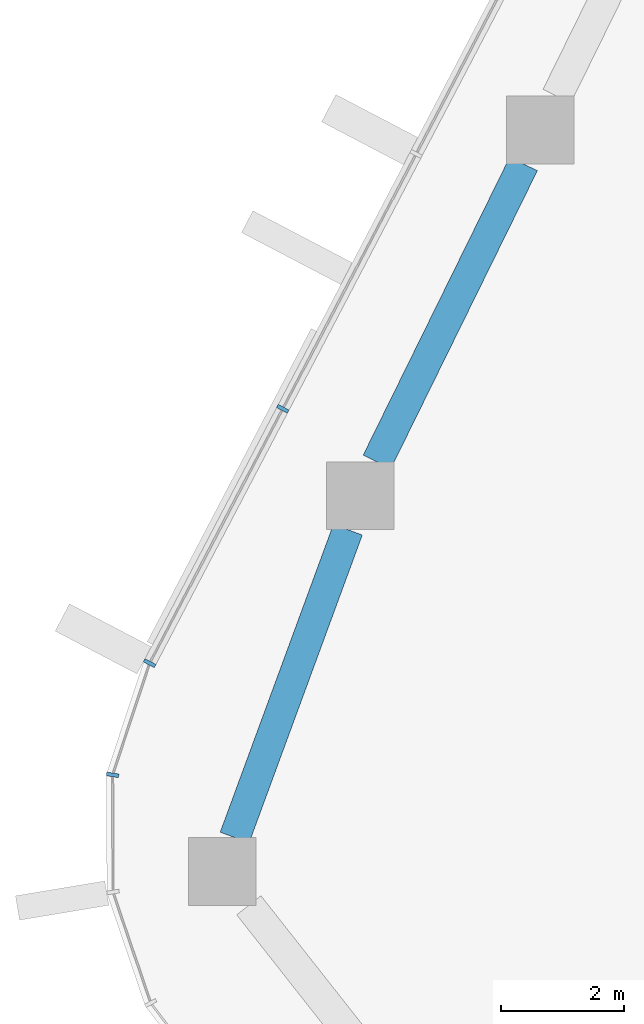
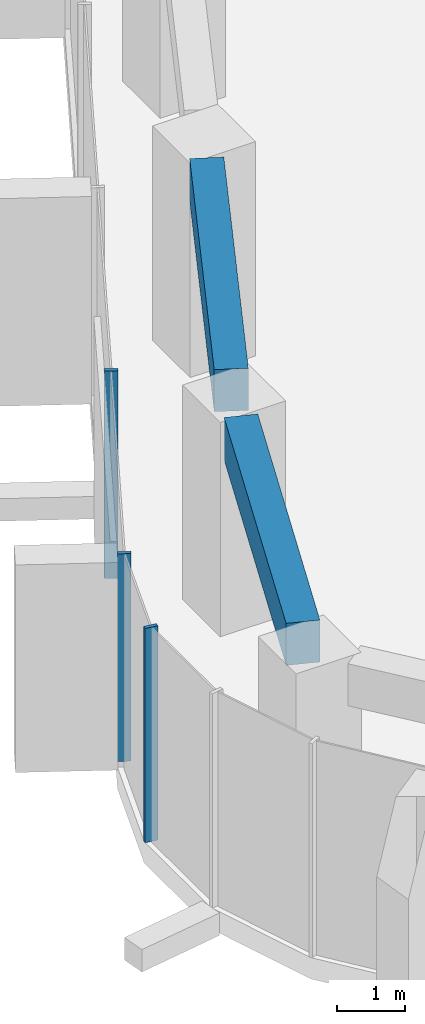
# One storey, part 3 of 20: 3 members, 2 beams, 2 elements without a shape of their own.
"""IFC4 building model written with IfcOpenShell, lengths in metres."""

import ifcopenshell
import ifcopenshell.guid

model = None  # the IFC model being written
_history = None  # IfcOwnerHistory: only IFC2X3 demands one
_inside = {}  # id of a spatial element -> (the spatial element, [elements in it])
_under = {}  # id of a project, library or spatial element -> (it, [spatial elements below it])
_declared = {}  # id of a project -> (the project, [libraries it declares])
_typed = {}  # id of a type object -> (the type object, [elements of that type])
_made_of = {}  # id of a material, layer set ... -> (it, [elements and type objects made of it])


def new_model(schema):
    """Start an empty IFC model of exactly this schema.

    Asked for "IFC4X3", IfcOpenShell would pick the latest addendum, in which some entities
    have other attributes; the version numbers below select the first issue.
    IFC2X3 requires an IfcOwnerHistory on every rooted entity: one is made here for all.
    """
    global model, _history
    if schema == "IFC4X3":
        model = ifcopenshell.file(schema_version=(4, 3, 0, 0))
    else:
        model = ifcopenshell.file(schema=schema)
    _inside.clear()
    _under.clear()
    _declared.clear()
    _typed.clear()
    _made_of.clear()
    _history = None
    if model.schema == "IFC2X3":
        org = make("IfcOrganization", Name="unknown")
        user = make(
            "IfcPersonAndOrganization",
            ThePerson=make("IfcPerson", FamilyName="unknown"),
            TheOrganization=org,
        )
        app = make(
            "IfcApplication",
            ApplicationDeveloper=org,
            Version="unknown",
            ApplicationFullName="unknown",
            ApplicationIdentifier="unknown",
        )
        _history = make(
            "IfcOwnerHistory",
            OwningUser=user,
            OwningApplication=app,
            ChangeAction="ADDED",
            CreationDate=0,
        )
    return model


def make(cls, **values):
    """One entity of the class cls with the attributes given. An attribute that is None is left unset."""
    return model.create_entity(
        cls, **{name: value for name, value in values.items() if value is not None}
    )


def rooted(cls, **values):
    """An entity with a GlobalId (a new one), such as an element, a storey or a relation."""
    return make(cls, GlobalId=ifcopenshell.guid.new(), OwnerHistory=_history, **values)


def si_unit(unit_type, name, prefix=None):
    """IfcSIUnit, for example si_unit("LENGTHUNIT", "METRE", prefix="MILLI")."""
    return make("IfcSIUnit", UnitType=unit_type, Prefix=prefix, Name=name)


def assignment(units):
    """IfcUnitAssignment: the units of a project."""
    return None if units is None else make("IfcUnitAssignment", Units=units)


def point(xyz):
    """IfcCartesianPoint."""
    return None if xyz is None else make("IfcCartesianPoint", Coordinates=xyz)


def direction(xyz):
    """IfcDirection."""
    return None if xyz is None else make("IfcDirection", DirectionRatios=xyz)


def frame(location, z_axis=None, x_axis=None):
    """IfcAxis2Placement3D, a coordinate frame: its origin and axes. An axis left out is left unset."""
    return make(
        "IfcAxis2Placement3D",
        Location=point(location),
        Axis=direction(z_axis),
        RefDirection=direction(x_axis),
    )


def frame_2d(location, x_axis=None):
    """IfcAxis2Placement2D, a coordinate frame in the plane: its origin and x axis."""
    return make(
        "IfcAxis2Placement2D", Location=point(location), RefDirection=direction(x_axis)
    )


def origin():
    """The frame at (0, 0, 0) with its axes left unset."""
    return frame((0.0, 0.0, 0.0))


def origin_2d():
    """The frame at (0, 0) in the plane with its x axis left unset."""
    return frame_2d((0.0, 0.0))


def place(relative_to, where):
    """IfcLocalPlacement: puts the frame where relative to a parent placement (None: the world)."""
    return make(
        "IfcLocalPlacement", PlacementRelTo=relative_to, RelativePlacement=where
    )


def context(
    kind, dimensions, precision=None, world=None, true_north=None, identifier=None
):
    """IfcGeometricRepresentationContext, for example the 3D "Model" context."""
    return make(
        "IfcGeometricRepresentationContext",
        ContextIdentifier=identifier,
        ContextType=kind,
        CoordinateSpaceDimension=dimensions,
        Precision=precision,
        WorldCoordinateSystem=world,
        TrueNorth=true_north,
    )


def subcontext(parent, identifier, kind, view, scale=None):
    """IfcGeometricRepresentationSubContext, for example "Body" below "Model"."""
    return make(
        "IfcGeometricRepresentationSubContext",
        ContextIdentifier=identifier,
        ContextType=kind,
        ParentContext=parent,
        TargetScale=scale,
        TargetView=view,
    )


def project(units=None, contexts=None):
    """IfcProject with its units and contexts."""
    return rooted(
        "IfcProject",
        Name="project",
        RepresentationContexts=contexts,
        UnitsInContext=assignment(units),
    )


def spatial(cls, under=None, at=None, **own):
    """A site, building, storey or space (cls), placed at a placement, below another one or the project."""
    s = rooted(cls, ObjectPlacement=at, **own)
    if under is not None:
        _under.setdefault(under.id(), (under, []))[1].append(s)
    return s


def profile(cls, at=None, kind="AREA", **sizes):
    """A parametric profile (cls). Its sizes go by their IFC names, for example OverallWidth=200.0."""
    return make(cls, ProfileType=kind, Position=at, **sizes)


def rectangle(**sizes):
    """IfcRectangleProfileDef."""
    return profile("IfcRectangleProfileDef", **sizes)


def extrude(swept, where, along, depth):
    """IfcExtrudedAreaSolid: the profile swept, set in the frame where, extruded along a direction by depth."""
    return make(
        "IfcExtrudedAreaSolid",
        SweptArea=swept,
        Position=where,
        ExtrudedDirection=direction(along),
        Depth=depth,
    )


def shape(context_of_items, identifier, shape_type, items):
    """IfcShapeRepresentation: the items that make up one representation, for example the "Body"."""
    return make(
        "IfcShapeRepresentation",
        ContextOfItems=context_of_items,
        RepresentationIdentifier=identifier,
        RepresentationType=shape_type,
        Items=items,
    )


def material(Name=None, Category=None):
    """IfcMaterial."""
    return make("IfcMaterial", Name=Name, Category=Category)


def layer(
    of_material, thickness, ventilated=None, Name=None, Category=None, Priority=None
):
    """IfcMaterialLayer: one layer of a wall or slab, of a material (None: an air gap)."""
    return make(
        "IfcMaterialLayer",
        Material=of_material,
        LayerThickness=thickness,
        IsVentilated=ventilated,
        Name=Name,
        Category=Category,
        Priority=Priority,
    )


def layer_set(layers, Name=None):
    """IfcMaterialLayerSet."""
    return make("IfcMaterialLayerSet", MaterialLayers=layers, LayerSetName=Name)


def material_profile(
    of_material, cross_section, Name=None, Category=None, Priority=None
):
    """IfcMaterialProfile: a cross section and its material."""
    return make(
        "IfcMaterialProfile",
        Name=Name,
        Material=of_material,
        Profile=cross_section,
        Priority=Priority,
        Category=Category,
    )


def profile_set(profiles, Name=None, composite=None):
    """IfcMaterialProfileSet."""
    return make(
        "IfcMaterialProfileSet",
        Name=Name,
        MaterialProfiles=profiles,
        CompositeProfile=composite,
    )


def made_of(thing, what):
    """Note that an element or type object is made of a material, layer set ...; save() writes the relation."""
    if what is not None:
        _made_of.setdefault(what.id(), (what, []))[1].append(thing)
    return thing


def type_object(cls, material=None, **own):
    """A type object (cls), such as IfcWallType, which elements share."""
    return made_of(rooted(cls, **own), material)


def element(
    cls,
    number,
    at=None,
    inside=None,
    cuts=None,
    type_object=None,
    material=None,
    context=None,
    identifier="Body",
    shape_type=None,
    held_by="IfcProductDefinitionShape",
    body=None,
    shapes=None,
    **own,
):
    """One element of the class cls, such as IfcWall. Its Tag is "e" and its number.

    at: its placement. inside: the storey or other place that contains it. cuts: it is an
    opening in that element (IfcRelVoidsElement). A single representation is given by context,
    identifier, shape_type and body (its items); several are given by shapes. held_by: the class
    of the entity that holds the representations. save() writes the other relations.
    """
    e = rooted(cls, Tag="e%d" % number, ObjectPlacement=at, **own)
    if body is not None:
        shapes = [shape(context, identifier, shape_type, body)]
    if shapes is not None:
        e.Representation = make(held_by, Representations=shapes)
    if inside is not None:
        _inside.setdefault(inside.id(), (inside, []))[1].append(e)
    if cuts is not None:
        rooted(
            "IfcRelVoidsElement", RelatingBuildingElement=cuts, RelatedOpeningElement=e
        )
    if type_object is not None:
        _typed.setdefault(type_object.id(), (type_object, []))[1].append(e)
    return made_of(e, material)


def aggregate(whole, parts):
    """IfcRelAggregates: a whole, such as a stair, and the parts it consists of."""
    return rooted("IfcRelAggregates", RelatingObject=whole, RelatedObjects=parts)


def save(model, path):
    """Write the relations noted so far, then the file.

    IfcRelAggregates (storeys below a building ...), IfcRelContainedInSpatialStructure (elements
    in a storey), IfcRelDefinesByType, IfcRelAssociatesMaterial and IfcRelDeclares: one each for
    every whole, place, type object, material and project.
    """
    for whole, parts in _under.values():
        aggregate(whole, parts)
    for where, things in _inside.values():
        rooted(
            "IfcRelContainedInSpatialStructure",
            RelatedElements=things,
            RelatingStructure=where,
        )
    for kind, things in _typed.values():
        rooted("IfcRelDefinesByType", RelatedObjects=things, RelatingType=kind)
    for what, things in _made_of.values():
        rooted("IfcRelAssociatesMaterial", RelatedObjects=things, RelatingMaterial=what)
    for by, libraries in _declared.values():
        rooted("IfcRelDeclares", RelatingContext=by, RelatedDefinitions=libraries)
    model.write(path)


model = new_model("IFC4")

# Units and contexts
model_context = context("Model", 3, precision=1e-05, world=origin(), true_north=direction((0.0, 1.0)))
body_context = subcontext(model_context, "Body", "Model", "MODEL_VIEW")
ifc_project = project(units=[si_unit("LENGTHUNIT", "METRE"), si_unit("AREAUNIT", "SQUARE_METRE"), si_unit("VOLUMEUNIT", "CUBIC_METRE"), si_unit("PLANEANGLEUNIT", "RADIAN"), si_unit("MASSUNIT", "GRAM", prefix="KILO")], contexts=[model_context])

# Site, building, storey
site_placement = place(None, origin())
site = spatial("IfcSite", under=ifc_project, at=site_placement, CompositionType="ELEMENT")
building_placement = place(site_placement, origin())
building = spatial("IfcBuilding", under=site, at=building_placement, Name="Dongbaek Canopy Tower", CompositionType="ELEMENT")
storey_placement = place(building_placement, frame((0.0, 0.0, 245.39990234375)))
storey = spatial("IfcBuildingStorey", under=building, at=storey_placement, Name="L51", CompositionType="ELEMENT", Elevation=245.39990234375)

# Curtain wall, members
ifc_material_1 = material(Name="Aluminium 6063-T6 pale anodised", Category="aluminium")
ifc_layer = layer(ifc_material_1, 0.199951171875)
ifc_layer_set = layer_set([ifc_layer], Name="CW-1 unitised tower curtain wall")
curtain_wall_type = type_object("IfcCurtainWallType", Name="CW-1 unitised tower curtain wall", PredefinedType="NOTDEFINED", material=ifc_layer_set)
curtain_wall_1_placement = place(storey_placement, origin())
curtain_wall_1 = element("IfcCurtainWall", 1, at=curtain_wall_1_placement, inside=storey, type_object=curtain_wall_type, Name="CW-1 curtain wall F2.1", PredefinedType="NOTDEFINED")
ifc_material_2 = material(Name="Aluminium 6063-T6 pale anodised", Category="aluminium")
ifc_material_profile_1 = material_profile(ifc_material_2, rectangle(XDim=0.199951171875, YDim=0.06005859375, at=origin_2d()), Name="CW-1 mullion 60 x 200")
ifc_profile_set_1 = profile_set([ifc_material_profile_1], Name="Aluminium 6063-T6 pale anodised")
member_type = type_object("IfcMemberType", Name="CW-1 mullion 60 x 200", PredefinedType="MULLION", material=ifc_profile_set_1)
member_1_placement = place(storey_placement, frame((-26.798583984375, 1.48779296875, 0.1201171875), z_axis=(0.0, 0.0, 1.0), x_axis=(-0.886019109709, 0.463648721803, 0.0)))
member_1 = element("IfcMember", 2, at=member_1_placement, type_object=member_type, Name="CW-1 mullion F2.1.6", PredefinedType="MULLION", context=body_context, shape_type="SweptSolid", body=[
    extrude(rectangle(XDim=0.199951171875, YDim=0.06005859375, at=origin_2d()), origin(), (0.0, 0.0, 1.0), 3.699951171875),
])
member_2_placement = place(storey_placement, frame((-28.958984375, -2.640625, 0.1201171875), z_axis=(0.0, 0.0, 1.0), x_axis=(-0.886019109709, 0.463648721803, 0.0)))
member_2 = element("IfcMember", 3, at=member_2_placement, type_object=member_type, Name="CW-1 mullion F2.1.7", PredefinedType="MULLION", context=body_context, shape_type="SweptSolid", body=[
    extrude(rectangle(XDim=0.199951171875, YDim=0.06005859375, at=origin_2d()), origin(), (0.0, 0.0, 1.0), 3.699951171875),
])
aggregate(curtain_wall_1, [member_1, member_2])

# Curtain wall, member
curtain_wall_2_placement = place(storey_placement, origin())
curtain_wall_2 = element("IfcCurtainWall", 4, at=curtain_wall_2_placement, inside=storey, type_object=curtain_wall_type, Name="CW-1 curtain wall K3.1", PredefinedType="NOTDEFINED")
member_3_placement = place(storey_placement, frame((-29.56005859375, -4.453125, 0.0), z_axis=(0.0, 0.0, 1.0), x_axis=(-0.987492655796, 0.157665008006, 0.0)))
member_3 = element("IfcMember", 5, at=member_3_placement, type_object=member_type, Name="CW-1 mullion K3.1.2", PredefinedType="MULLION", context=body_context, shape_type="SweptSolid", body=[
    extrude(rectangle(XDim=0.199951171875, YDim=0.06005859375, at=origin_2d()), origin(), (0.0, 0.0, 1.0), 3.820068359375),
])
aggregate(curtain_wall_2, [member_3])

# Beams
ifc_material_3 = material(Name="Concrete C70", Category="concrete")
ifc_material_profile_2 = material_profile(ifc_material_3, rectangle(XDim=0.5, YDim=0.75, at=origin_2d()), Name="RC EDGE BEAM 500x750 C70")
ifc_profile_set_2 = profile_set([ifc_material_profile_2], Name="Concrete C70")
beam_type = type_object("IfcBeamType", Name="RC EDGE BEAM 500x750 C70", PredefinedType="BEAM", material=ifc_profile_set_2)
beam_1_placement = place(storey_placement, frame((-27.57958984375, -5.469970703125, 3.445068359375), z_axis=(0.345180317771, 0.938536386201, 0.0), x_axis=(-0.938536386201, 0.345180317771, 0.0)))
element("IfcBeam", 6, at=beam_1_placement, inside=storey, type_object=beam_type, Name="EDGEBEAM:L51:08", PredefinedType="BEAM", context=body_context, shape_type="SweptSolid", body=[
    extrude(rectangle(XDim=0.5, YDim=0.75, at=origin_2d()), origin(), (0.0, 0.0, 1.0), 5.322998046875),
])
beam_2_placement = place(storey_placement, frame((-25.26953125, 0.6259765625, 3.445068359375), z_axis=(0.44133161815, 0.897344082736, 0.0), x_axis=(-0.897344082736, 0.44133161815, 0.0)))
element("IfcBeam", 7, at=beam_2_placement, inside=storey, type_object=beam_type, Name="EDGEBEAM:L51:09", PredefinedType="BEAM", context=body_context, shape_type="SweptSolid", body=[
    extrude(rectangle(XDim=0.5, YDim=0.75, at=origin_2d()), origin(), (0.0, 0.0, 1.0), 5.38818359375),
])

save(model, "model.ifc")
